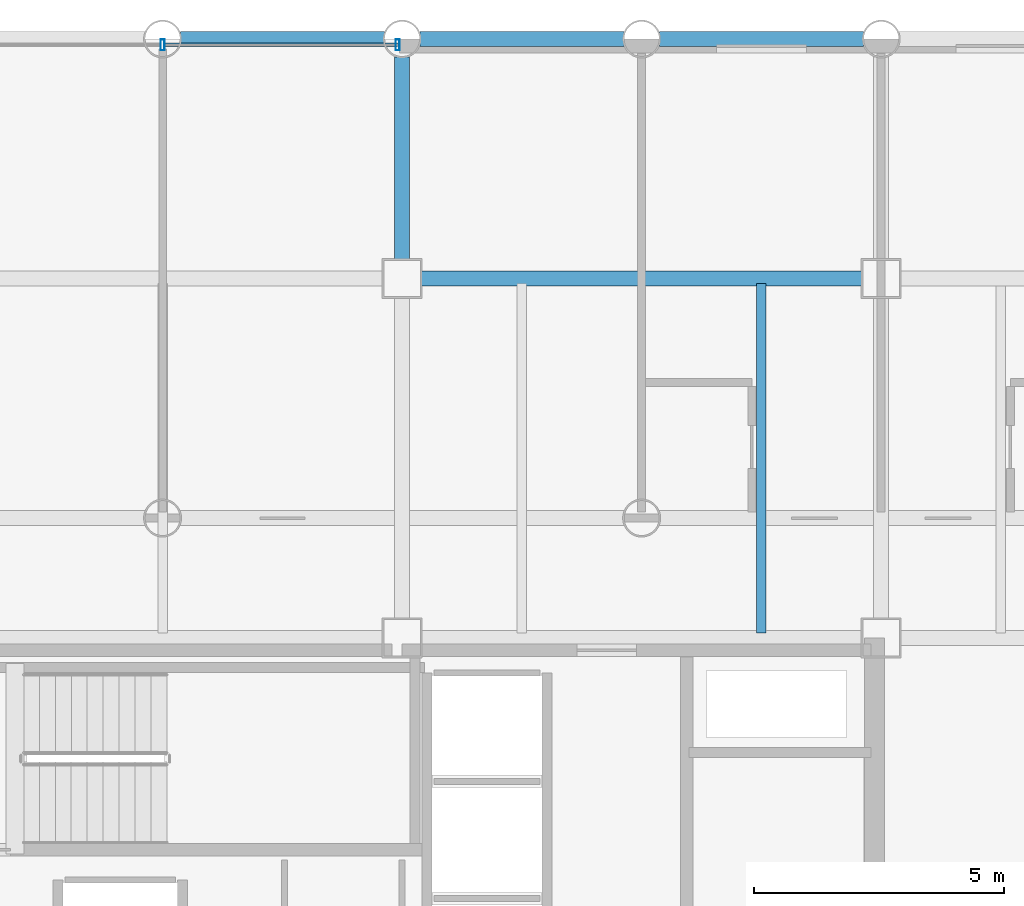
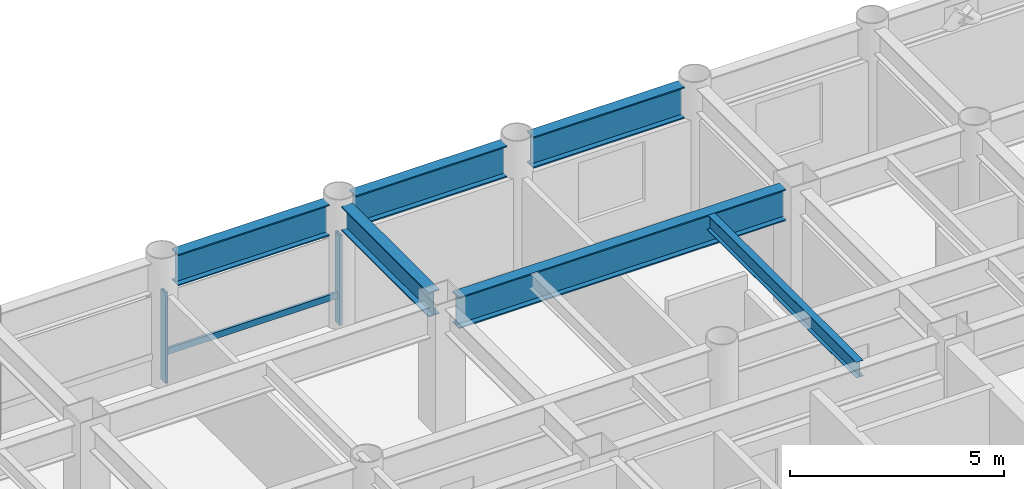
# One storey, part 12 of 22: 6 beams, 3 members, 1 element without a shape of its own.
"""IFC4 building model written with IfcOpenShell, lengths in metres."""

from ifc_helpers import new_model, si_unit, direction, frame, origin, origin_2d, place, context, subcontext, project, spatial, hollow_rectangle, i_section, extrude, material, layer, layer_set, material_profile, profile_set, type_object, element, aggregate, save


model = new_model("IFC4")

# Units and contexts
model_context = context("Model", 3, precision=1e-05, world=origin(), true_north=direction((0.0, 1.0)))
body_context = subcontext(model_context, "Body", "Model", "MODEL_VIEW")
ifc_project = project(units=[si_unit("LENGTHUNIT", "METRE"), si_unit("AREAUNIT", "SQUARE_METRE"), si_unit("VOLUMEUNIT", "CUBIC_METRE"), si_unit("PLANEANGLEUNIT", "RADIAN"), si_unit("MASSUNIT", "GRAM", prefix="KILO")], contexts=[model_context])

# Site, building, storey
site_placement = place(None, origin())
site = spatial("IfcSite", under=ifc_project, at=site_placement, CompositionType="ELEMENT")
building_placement = place(site_placement, origin())
building = spatial("IfcBuilding", under=site, at=building_placement, Name="Kallvorn Hotel Tower", CompositionType="ELEMENT")
storey_placement = place(building_placement, frame((0.0, 0.0, 48.5)))
storey = spatial("IfcBuildingStorey", under=building, at=storey_placement, Name="L10", CompositionType="ELEMENT", Elevation=48.5)

# Beams
ifc_material_1 = material(Name="Structural steel S355JR", Category="steel")
ifc_material_profile_1 = material_profile(ifc_material_1, i_section(OverallWidth=0.300048828125, OverallDepth=0.699951171875, WebThickness=0.01708984375, FlangeThickness=0.031982421875, at=origin_2d()), Name="HE 700 B")
ifc_profile_set_1 = profile_set([ifc_material_profile_1], Name="Structural steel S355JR")
beam_type_1 = type_object("IfcBeamType", Name="BM_HE700B", PredefinedType="BEAM", material=ifc_profile_set_1)
beam_1_placement = place(storey_placement, frame((4.800048828125, 14.77490234375, 3.169921875), z_axis=(0.0, 1.0, 0.0), x_axis=(-1.0, 0.0, 0.0)))
element("IfcBeam", 1, at=beam_1_placement, inside=storey, type_object=beam_type_1, Name="L11 Primary Y-Girder 118", PredefinedType="BEAM", context=body_context, shape_type="SweptSolid", body=[
    extrude(i_section(OverallWidth=0.300048828125, OverallDepth=0.699951171875, WebThickness=0.01708984375, FlangeThickness=0.031982421875, at=origin_2d()), origin(), (0.0, 0.0, 1.0), 4.069091796875),
])
ifc_material_2 = material(Name="Structural steel S355JR", Category="steel")
ifc_material_profile_2 = material_profile(ifc_material_2, i_section(OverallWidth=0.300048828125, OverallDepth=0.89990234375, WebThickness=0.0185546875, FlangeThickness=0.034912109375, at=origin_2d()), Name="HE 900 B")
ifc_profile_set_2 = profile_set([ifc_material_profile_2], Name="Structural steel S355JR")
beam_type_2 = type_object("IfcBeamType", Name="BM_HE900B", PredefinedType="BEAM", material=ifc_profile_set_2)
beam_2_placement = place(storey_placement, frame((5.175048828125, 14.39990234375, 3.070068359375), z_axis=(1.0, 0.0, 0.0), x_axis=(0.0, 1.0, 0.0)))
element("IfcBeam", 2, at=beam_2_placement, inside=storey, type_object=beam_type_2, Name="L11 Primary X-Girder 57", PredefinedType="BEAM", context=body_context, shape_type="SweptSolid", body=[
    extrude(i_section(OverallWidth=0.300048828125, OverallDepth=0.89990234375, WebThickness=0.0185546875, FlangeThickness=0.034912109375, at=origin_2d()), origin(), (0.0, 0.0, 1.0), 8.849853515625),
])
beam_3_placement = place(storey_placement, frame((0.35595703125, 19.199951171875, 3.070068359375), z_axis=(1.0, 0.0, 0.0), x_axis=(0.0, 1.0, 0.0)))
element("IfcBeam", 3, at=beam_3_placement, inside=storey, type_object=beam_type_2, Name="L11 Primary X-Girder 67", PredefinedType="BEAM", context=body_context, shape_type="SweptSolid", body=[
    extrude(i_section(OverallWidth=0.300048828125, OverallDepth=0.89990234375, WebThickness=0.0185546875, FlangeThickness=0.034912109375, at=origin_2d()), origin(), (0.0, 0.0, 1.0), 4.088134765625),
])
for number, where, z_axis, x_axis, name in (
    (4, (5.156005859375, 19.199951171875, 3.070068359375), (1.0, 0.0, 0.0), (0.0, 1.0, 0.0), "L11 Primary X-Girder 68"),
    (5, (9.9560546875, 19.199951171875, 3.070068359375), (1.0, 0.0, 0.0), (0.0, 1.0, 0.0), "L11 Primary X-Girder 69"),
):
    element("IfcBeam", number, at=place(storey_placement, frame(where, z_axis=z_axis, x_axis=x_axis)), inside=storey, type_object=beam_type_2, Name=name, PredefinedType="BEAM", context=body_context, shape_type="SweptSolid", body=[
        extrude(i_section(OverallWidth=0.300048828125, OverallDepth=0.89990234375, WebThickness=0.0185546875, FlangeThickness=0.034912109375, at=origin_2d()), origin(), (0.0, 0.0, 1.0), 4.087890625),
    ])
ifc_material_3 = material(Name="Structural steel S355JR", Category="steel")
ifc_material_profile_3 = material_profile(ifc_material_3, i_section(OverallWidth=0.18994140625, OverallDepth=0.449951171875, WebThickness=0.009521484375, FlangeThickness=0.0146484375, at=origin_2d()), Name="IPE 450")
ifc_profile_set_3 = profile_set([ifc_material_profile_3], Name="Structural steel S355JR")
beam_type_3 = type_object("IfcBeamType", Name="BM_IPE450", PredefinedType="JOIST", material=ifc_profile_set_3)
beam_4_placement = place(storey_placement, frame((12.0, 7.300048828125, 3.294921875), z_axis=(0.0, 1.0, 0.0), x_axis=(-1.0, 0.0, 0.0)))
element("IfcBeam", 6, at=beam_4_placement, inside=storey, type_object=beam_type_3, Name="L11 Secondary Composite Joist 205", PredefinedType="JOIST", context=body_context, shape_type="SweptSolid", body=[
    extrude(i_section(OverallWidth=0.18994140625, OverallDepth=0.449951171875, WebThickness=0.009521484375, FlangeThickness=0.0146484375, at=origin_2d()), origin(), (0.0, 0.0, 1.0), 7.0),
])

# Curtain wall, members
ifc_material_4 = material(Name="Thermally broken black-anodised aluminium AA 6063-T6", Category="aluminium")
ifc_layer = layer(ifc_material_4, 0.199951171875)
ifc_layer_set = layer_set([ifc_layer], Name="CW_SYS_3_HOTEL_LOW")
curtain_wall_type = type_object("IfcCurtainWallType", Name="CW_SYS_3_HOTEL_LOW", PredefinedType="USERDEFINED", material=ifc_layer_set)
curtain_wall_placement = place(storey_placement, origin())
curtain_wall = element("IfcCurtainWall", 7, at=curtain_wall_placement, inside=storey, type_object=curtain_wall_type, Name="L10 Dark-Glass Curtain Wall CW-L10-NC", ObjectType="UNITISED CURTAIN WALL", PredefinedType="USERDEFINED")
ifc_material_5 = material(Name="Thermally broken black-anodised aluminium AA 6063-T6", Category="aluminium")
ifc_material_profile_4 = material_profile(ifc_material_5, hollow_rectangle(XDim=0.080078125, YDim=0.219970703125, WallThickness=0.0048828125, at=origin_2d()), Name="MUL 220x80")
ifc_profile_set_4 = profile_set([ifc_material_profile_4], Name="Thermally broken black-anodised aluminium AA 6063-T6")
member_type_1 = type_object("IfcMemberType", Name="CW_MULLION_220x80", PredefinedType="MULLION", material=ifc_profile_set_4)
member_1_placement = place(storey_placement, frame((0.0, 19.080078125, 0.02001953125), z_axis=(0.0, 0.0, 1.0), x_axis=(1.0, 0.0, 0.0)))
member_1 = element("IfcMember", 8, at=member_1_placement, type_object=member_type_1, Name="CW-L10-NC Mullion 01", PredefinedType="MULLION", context=body_context, shape_type="SweptSolid", body=[
    extrude(hollow_rectangle(XDim=0.080078125, YDim=0.219970703125, WallThickness=0.0048828125, at=origin_2d()), origin(), (0.0, 0.0, 1.0), 2.580078125),
])
member_2_placement = place(storey_placement, frame((4.7099609375, 19.080078125, 0.02001953125), z_axis=(0.0, 0.0, 1.0), x_axis=(1.0, 0.0, 0.0)))
member_2 = element("IfcMember", 9, at=member_2_placement, type_object=member_type_1, Name="CW-L10-NC Mullion 02", PredefinedType="MULLION", context=body_context, shape_type="SweptSolid", body=[
    extrude(hollow_rectangle(XDim=0.080078125, YDim=0.219970703125, WallThickness=0.0048828125, at=origin_2d()), origin(), (0.0, 0.0, 1.0), 2.580078125),
])
ifc_material_6 = material(Name="Thermally broken black-anodised aluminium AA 6063-T6", Category="aluminium")
ifc_material_profile_5 = material_profile(ifc_material_6, hollow_rectangle(XDim=0.070068359375, YDim=0.179931640625, WallThickness=0.00390625, at=origin_2d()), Name="TRN 180x70")
ifc_profile_set_5 = profile_set([ifc_material_profile_5], Name="Thermally broken black-anodised aluminium AA 6063-T6")
member_type_2 = type_object("IfcMemberType", Name="CW_TRANSOM_180x70", PredefinedType="USERDEFINED", material=ifc_profile_set_5)
member_3_placement = place(storey_placement, frame((0.0400390625, 19.080078125, 0.85009765625), z_axis=(1.0, 0.0, 0.0), x_axis=(0.0, 1.0, 0.0)))
member_3 = element("IfcMember", 10, at=member_3_placement, type_object=member_type_2, Name="CW-L10-NC Transom 01M", ObjectType="TRANSOM", PredefinedType="USERDEFINED", context=body_context, shape_type="SweptSolid", body=[
    extrude(hollow_rectangle(XDim=0.070068359375, YDim=0.179931640625, WallThickness=0.00390625, at=origin_2d()), origin(), (0.0, 0.0, 1.0), 4.669921875),
])
aggregate(curtain_wall, [member_1, member_2, member_3])

save(model, "model.ifc")
